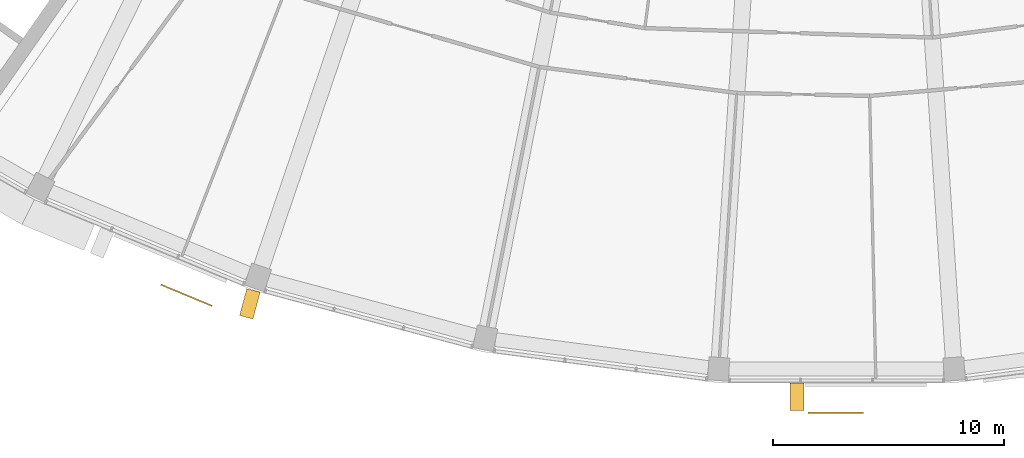
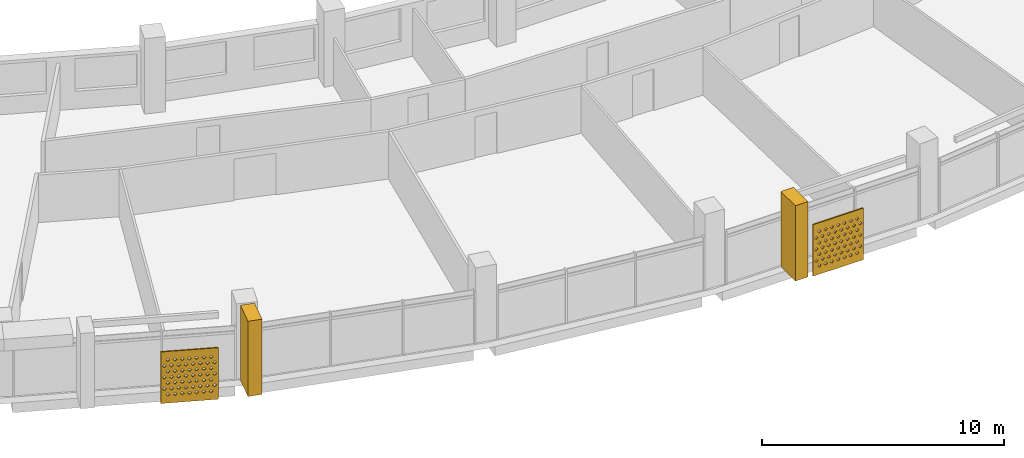
# One storey, part 25 of 28: 4 shading devices.
"""IFC4 building model written with IfcOpenShell, lengths in metres."""

from ifc_helpers import new_model, si_unit, direction, frame, origin, place, context, subcontext, project, spatial, polyline, outline, extrude, material, material_profile, profile_set, type_object, element, save


model = new_model("IFC4")

# Units and contexts
model_context = context("Model", 3, precision=1e-05, world=origin(), true_north=direction((0.0, 1.0)))
body_context = subcontext(model_context, "Body", "Model", "MODEL_VIEW")
ifc_project = project(units=[si_unit("LENGTHUNIT", "METRE"), si_unit("AREAUNIT", "SQUARE_METRE"), si_unit("VOLUMEUNIT", "CUBIC_METRE"), si_unit("PLANEANGLEUNIT", "RADIAN"), si_unit("MASSUNIT", "GRAM", prefix="KILO")], contexts=[model_context])

# Site, building, storey
site_placement = place(None, origin())
site = spatial("IfcSite", under=ifc_project, at=site_placement, CompositionType="ELEMENT")
building_placement = place(site_placement, origin())
building = spatial("IfcBuilding", under=site, at=building_placement, Name="Qamariyya Broadcast Tower", CompositionType="ELEMENT")
storey_placement = place(building_placement, frame((0.0, 0.0, 277.10009765625)))
storey = spatial("IfcBuildingStorey", under=building, at=storey_placement, Name="L67", CompositionType="ELEMENT", Elevation=277.10009765625)

# Shading devices
ifc_material_1 = material(Name="Steel S355 powder coated deep red", Category="steel")
shading_device_type_1 = type_object("IfcShadingDeviceType", Name="Deep red frame, powder coated steel box section", PredefinedType="USERDEFINED", material=ifc_material_1)
shading_device_1_placement = place(storey_placement, origin())
element("IfcShadingDevice", 1, at=shading_device_1_placement, inside=storey, type_object=shading_device_type_1, Name="e-frm-B5-F3-posta-L67", ObjectType="FRAME", PredefinedType="USERDEFINED", context=body_context, shape_type="SweptSolid", body=[
    extrude(outline(polyline([(-25.474609375, -74.1142578125), (-25.78515625, -75.2734375), (-25.20556640625, -75.4287109375), (-24.89501953125, -74.26953125), (-25.474609375, -74.1142578125)])), origin(), (0.0, 0.0, 1.0), 3.7998046875),
])
shading_device_2_placement = place(storey_placement, origin())
element("IfcShadingDevice", 2, at=shading_device_2_placement, inside=storey, type_object=shading_device_type_1, Name="e-frm-B5-F3-postb-L67", ObjectType="FRAME", PredefinedType="USERDEFINED", context=body_context, shape_type="SweptSolid", body=[
    extrude(outline(polyline([(-2.008056640625, -78.18212890625), (-2.008056640625, -79.38232421875), (-1.408203125, -79.38232421875), (-1.408203125, -78.18212890625), (-2.008056640625, -78.18212890625)])), origin(), (0.0, 0.0, 1.0), 3.7998046875),
])
ifc_material_2 = material(Name="Perforated glazed terracotta", Category="masonry")
ifc_material_profile = material_profile(ifc_material_2, outline(polyline([(-1.199951171875, -1.300048828125), (1.199951171875, -1.300048828125), (1.199951171875, 1.300048828125), (-1.199951171875, 1.300048828125), (-1.199951171875, -1.300048828125)]), holes=[polyline([(-0.81494140625, -0.86669921875), (-0.89990234375, -0.78173828125), (-0.985107421875, -0.86669921875), (-0.89990234375, -0.95166015625), (-0.81494140625, -0.86669921875)]), polyline([(-0.514892578125, -0.86669921875), (-0.60009765625, -0.78173828125), (-0.68505859375, -0.86669921875), (-0.60009765625, -0.95166015625), (-0.514892578125, -0.86669921875)]), polyline([(-0.215087890625, -0.86669921875), (-0.300048828125, -0.78173828125), (-0.385009765625, -0.86669921875), (-0.300048828125, -0.95166015625), (-0.215087890625, -0.86669921875)]), polyline([(0.0849609375, -0.86669921875), (0.0, -0.78173828125), (-0.0849609375, -0.86669921875), (0.0, -0.95166015625), (0.0849609375, -0.86669921875)]), polyline([(0.385009765625, -0.86669921875), (0.300048828125, -0.78173828125), (0.215087890625, -0.86669921875), (0.300048828125, -0.95166015625), (0.385009765625, -0.86669921875)]), polyline([(0.68505859375, -0.86669921875), (0.60009765625, -0.78173828125), (0.514892578125, -0.86669921875), (0.60009765625, -0.95166015625), (0.68505859375, -0.86669921875)]), polyline([(0.985107421875, -0.86669921875), (0.89990234375, -0.78173828125), (0.81494140625, -0.86669921875), (0.89990234375, -0.95166015625), (0.985107421875, -0.86669921875)]), polyline([(-0.965087890625, -0.577880859375), (-1.050048828125, -0.49267578125), (-1.135009765625, -0.577880859375), (-1.050048828125, -0.662841796875), (-0.965087890625, -0.577880859375)]), polyline([(-0.6650390625, -0.577880859375), (-0.75, -0.49267578125), (-0.8349609375, -0.577880859375), (-0.75, -0.662841796875), (-0.6650390625, -0.577880859375)]), polyline([(-0.364990234375, -0.577880859375), (-0.449951171875, -0.49267578125), (-0.534912109375, -0.577880859375), (-0.449951171875, -0.662841796875), (-0.364990234375, -0.577880859375)]), polyline([(-0.06494140625, -0.577880859375), (-0.14990234375, -0.49267578125), (-0.235107421875, -0.577880859375), (-0.14990234375, -0.662841796875), (-0.06494140625, -0.577880859375)]), polyline([(0.235107421875, -0.577880859375), (0.14990234375, -0.49267578125), (0.06494140625, -0.577880859375), (0.14990234375, -0.662841796875), (0.235107421875, -0.577880859375)]), polyline([(0.534912109375, -0.577880859375), (0.449951171875, -0.49267578125), (0.364990234375, -0.577880859375), (0.449951171875, -0.662841796875), (0.534912109375, -0.577880859375)]), polyline([(0.8349609375, -0.577880859375), (0.75, -0.49267578125), (0.6650390625, -0.577880859375), (0.75, -0.662841796875), (0.8349609375, -0.577880859375)]), polyline([(1.135009765625, -0.577880859375), (1.050048828125, -0.49267578125), (0.965087890625, -0.577880859375), (1.050048828125, -0.662841796875), (1.135009765625, -0.577880859375)]), polyline([(-0.81494140625, -0.288818359375), (-0.89990234375, -0.203857421875), (-0.985107421875, -0.288818359375), (-0.89990234375, -0.373779296875), (-0.81494140625, -0.288818359375)]), polyline([(-0.514892578125, -0.288818359375), (-0.60009765625, -0.203857421875), (-0.68505859375, -0.288818359375), (-0.60009765625, -0.373779296875), (-0.514892578125, -0.288818359375)]), polyline([(-0.215087890625, -0.288818359375), (-0.300048828125, -0.203857421875), (-0.385009765625, -0.288818359375), (-0.300048828125, -0.373779296875), (-0.215087890625, -0.288818359375)]), polyline([(0.0849609375, -0.288818359375), (0.0, -0.203857421875), (-0.0849609375, -0.288818359375), (0.0, -0.373779296875), (0.0849609375, -0.288818359375)]), polyline([(0.385009765625, -0.288818359375), (0.300048828125, -0.203857421875), (0.215087890625, -0.288818359375), (0.300048828125, -0.373779296875), (0.385009765625, -0.288818359375)]), polyline([(0.68505859375, -0.288818359375), (0.60009765625, -0.203857421875), (0.514892578125, -0.288818359375), (0.60009765625, -0.373779296875), (0.68505859375, -0.288818359375)]), polyline([(0.985107421875, -0.288818359375), (0.89990234375, -0.203857421875), (0.81494140625, -0.288818359375), (0.89990234375, -0.373779296875), (0.985107421875, -0.288818359375)]), polyline([(-0.965087890625, 0.0), (-1.050048828125, 0.0849609375), (-1.135009765625, 0.0), (-1.050048828125, -0.0849609375), (-0.965087890625, 0.0)]), polyline([(-0.6650390625, 0.0), (-0.75, 0.0849609375), (-0.8349609375, 0.0), (-0.75, -0.0849609375), (-0.6650390625, 0.0)]), polyline([(-0.364990234375, 0.0), (-0.449951171875, 0.0849609375), (-0.534912109375, 0.0), (-0.449951171875, -0.0849609375), (-0.364990234375, 0.0)]), polyline([(-0.06494140625, 0.0), (-0.14990234375, 0.0849609375), (-0.235107421875, 0.0), (-0.14990234375, -0.0849609375), (-0.06494140625, 0.0)]), polyline([(0.235107421875, 0.0), (0.14990234375, 0.0849609375), (0.06494140625, 0.0), (0.14990234375, -0.0849609375), (0.235107421875, 0.0)]), polyline([(0.534912109375, 0.0), (0.449951171875, 0.0849609375), (0.364990234375, 0.0), (0.449951171875, -0.0849609375), (0.534912109375, 0.0)]), polyline([(0.8349609375, 0.0), (0.75, 0.0849609375), (0.6650390625, 0.0), (0.75, -0.0849609375), (0.8349609375, 0.0)]), polyline([(1.135009765625, 0.0), (1.050048828125, 0.0849609375), (0.965087890625, 0.0), (1.050048828125, -0.0849609375), (1.135009765625, 0.0)]), polyline([(-0.81494140625, 0.288818359375), (-0.89990234375, 0.373779296875), (-0.985107421875, 0.288818359375), (-0.89990234375, 0.203857421875), (-0.81494140625, 0.288818359375)]), polyline([(-0.514892578125, 0.288818359375), (-0.60009765625, 0.373779296875), (-0.68505859375, 0.288818359375), (-0.60009765625, 0.203857421875), (-0.514892578125, 0.288818359375)]), polyline([(-0.215087890625, 0.288818359375), (-0.300048828125, 0.373779296875), (-0.385009765625, 0.288818359375), (-0.300048828125, 0.203857421875), (-0.215087890625, 0.288818359375)]), polyline([(0.0849609375, 0.288818359375), (0.0, 0.373779296875), (-0.0849609375, 0.288818359375), (0.0, 0.203857421875), (0.0849609375, 0.288818359375)]), polyline([(0.385009765625, 0.288818359375), (0.300048828125, 0.373779296875), (0.215087890625, 0.288818359375), (0.300048828125, 0.203857421875), (0.385009765625, 0.288818359375)]), polyline([(0.68505859375, 0.288818359375), (0.60009765625, 0.373779296875), (0.514892578125, 0.288818359375), (0.60009765625, 0.203857421875), (0.68505859375, 0.288818359375)]), polyline([(0.985107421875, 0.288818359375), (0.89990234375, 0.373779296875), (0.81494140625, 0.288818359375), (0.89990234375, 0.203857421875), (0.985107421875, 0.288818359375)]), polyline([(-0.965087890625, 0.577880859375), (-1.050048828125, 0.662841796875), (-1.135009765625, 0.577880859375), (-1.050048828125, 0.49267578125), (-0.965087890625, 0.577880859375)]), polyline([(-0.6650390625, 0.577880859375), (-0.75, 0.662841796875), (-0.8349609375, 0.577880859375), (-0.75, 0.49267578125), (-0.6650390625, 0.577880859375)]), polyline([(-0.364990234375, 0.577880859375), (-0.449951171875, 0.662841796875), (-0.534912109375, 0.577880859375), (-0.449951171875, 0.49267578125), (-0.364990234375, 0.577880859375)]), polyline([(-0.06494140625, 0.577880859375), (-0.14990234375, 0.662841796875), (-0.235107421875, 0.577880859375), (-0.14990234375, 0.49267578125), (-0.06494140625, 0.577880859375)]), polyline([(0.235107421875, 0.577880859375), (0.14990234375, 0.662841796875), (0.06494140625, 0.577880859375), (0.14990234375, 0.49267578125), (0.235107421875, 0.577880859375)]), polyline([(0.534912109375, 0.577880859375), (0.449951171875, 0.662841796875), (0.364990234375, 0.577880859375), (0.449951171875, 0.49267578125), (0.534912109375, 0.577880859375)]), polyline([(0.8349609375, 0.577880859375), (0.75, 0.662841796875), (0.6650390625, 0.577880859375), (0.75, 0.49267578125), (0.8349609375, 0.577880859375)]), polyline([(1.135009765625, 0.577880859375), (1.050048828125, 0.662841796875), (0.965087890625, 0.577880859375), (1.050048828125, 0.49267578125), (1.135009765625, 0.577880859375)]), polyline([(-0.81494140625, 0.86669921875), (-0.89990234375, 0.95166015625), (-0.985107421875, 0.86669921875), (-0.89990234375, 0.78173828125), (-0.81494140625, 0.86669921875)]), polyline([(-0.514892578125, 0.86669921875), (-0.60009765625, 0.95166015625), (-0.68505859375, 0.86669921875), (-0.60009765625, 0.78173828125), (-0.514892578125, 0.86669921875)]), polyline([(-0.215087890625, 0.86669921875), (-0.300048828125, 0.95166015625), (-0.385009765625, 0.86669921875), (-0.300048828125, 0.78173828125), (-0.215087890625, 0.86669921875)]), polyline([(0.0849609375, 0.86669921875), (0.0, 0.95166015625), (-0.0849609375, 0.86669921875), (0.0, 0.78173828125), (0.0849609375, 0.86669921875)]), polyline([(0.385009765625, 0.86669921875), (0.300048828125, 0.95166015625), (0.215087890625, 0.86669921875), (0.300048828125, 0.78173828125), (0.385009765625, 0.86669921875)]), polyline([(0.68505859375, 0.86669921875), (0.60009765625, 0.95166015625), (0.514892578125, 0.86669921875), (0.60009765625, 0.78173828125), (0.68505859375, 0.86669921875)]), polyline([(0.985107421875, 0.86669921875), (0.89990234375, 0.95166015625), (0.81494140625, 0.86669921875), (0.89990234375, 0.78173828125), (0.985107421875, 0.86669921875)])]))
ifc_profile_set = profile_set([ifc_material_profile], Name="Perforated glazed terracotta")
shading_device_type_2 = type_object("IfcShadingDeviceType", Name="Perforated terracotta screen 2400 x 2600", PredefinedType="USERDEFINED", material=ifc_profile_set)
shading_device_3_placement = place(storey_placement, frame((-28.066650390625, -74.372802734375, 1.349853515625), z_axis=(-0.382591441855, -0.923917630863, 0.0), x_axis=(0.923917630863, -0.382591441855, 0.0)))
element("IfcShadingDevice", 3, at=shading_device_3_placement, inside=storey, type_object=shading_device_type_2, Name="e-scr-L67-04-2", ObjectType="SCREEN", PredefinedType="USERDEFINED", context=body_context, shape_type="SweptSolid", body=[
    extrude(outline(polyline([(-1.199951171875, -1.300048828125), (1.199951171875, -1.300048828125), (1.199951171875, 1.300048828125), (-1.199951171875, 1.300048828125), (-1.199951171875, -1.300048828125)]), holes=[polyline([(-0.81494140625, -0.86669921875), (-0.89990234375, -0.78173828125), (-0.985107421875, -0.86669921875), (-0.89990234375, -0.95166015625), (-0.81494140625, -0.86669921875)]), polyline([(-0.514892578125, -0.86669921875), (-0.60009765625, -0.78173828125), (-0.68505859375, -0.86669921875), (-0.60009765625, -0.95166015625), (-0.514892578125, -0.86669921875)]), polyline([(-0.215087890625, -0.86669921875), (-0.300048828125, -0.78173828125), (-0.385009765625, -0.86669921875), (-0.300048828125, -0.95166015625), (-0.215087890625, -0.86669921875)]), polyline([(0.0849609375, -0.86669921875), (0.0, -0.78173828125), (-0.0849609375, -0.86669921875), (0.0, -0.95166015625), (0.0849609375, -0.86669921875)]), polyline([(0.385009765625, -0.86669921875), (0.300048828125, -0.78173828125), (0.215087890625, -0.86669921875), (0.300048828125, -0.95166015625), (0.385009765625, -0.86669921875)]), polyline([(0.68505859375, -0.86669921875), (0.60009765625, -0.78173828125), (0.514892578125, -0.86669921875), (0.60009765625, -0.95166015625), (0.68505859375, -0.86669921875)]), polyline([(0.985107421875, -0.86669921875), (0.89990234375, -0.78173828125), (0.81494140625, -0.86669921875), (0.89990234375, -0.95166015625), (0.985107421875, -0.86669921875)]), polyline([(-0.965087890625, -0.577880859375), (-1.050048828125, -0.49267578125), (-1.135009765625, -0.577880859375), (-1.050048828125, -0.662841796875), (-0.965087890625, -0.577880859375)]), polyline([(-0.6650390625, -0.577880859375), (-0.75, -0.49267578125), (-0.8349609375, -0.577880859375), (-0.75, -0.662841796875), (-0.6650390625, -0.577880859375)]), polyline([(-0.364990234375, -0.577880859375), (-0.449951171875, -0.49267578125), (-0.534912109375, -0.577880859375), (-0.449951171875, -0.662841796875), (-0.364990234375, -0.577880859375)]), polyline([(-0.06494140625, -0.577880859375), (-0.14990234375, -0.49267578125), (-0.235107421875, -0.577880859375), (-0.14990234375, -0.662841796875), (-0.06494140625, -0.577880859375)]), polyline([(0.235107421875, -0.577880859375), (0.14990234375, -0.49267578125), (0.06494140625, -0.577880859375), (0.14990234375, -0.662841796875), (0.235107421875, -0.577880859375)]), polyline([(0.534912109375, -0.577880859375), (0.449951171875, -0.49267578125), (0.364990234375, -0.577880859375), (0.449951171875, -0.662841796875), (0.534912109375, -0.577880859375)]), polyline([(0.8349609375, -0.577880859375), (0.75, -0.49267578125), (0.6650390625, -0.577880859375), (0.75, -0.662841796875), (0.8349609375, -0.577880859375)]), polyline([(1.135009765625, -0.577880859375), (1.050048828125, -0.49267578125), (0.965087890625, -0.577880859375), (1.050048828125, -0.662841796875), (1.135009765625, -0.577880859375)]), polyline([(-0.81494140625, -0.288818359375), (-0.89990234375, -0.203857421875), (-0.985107421875, -0.288818359375), (-0.89990234375, -0.373779296875), (-0.81494140625, -0.288818359375)]), polyline([(-0.514892578125, -0.288818359375), (-0.60009765625, -0.203857421875), (-0.68505859375, -0.288818359375), (-0.60009765625, -0.373779296875), (-0.514892578125, -0.288818359375)]), polyline([(-0.215087890625, -0.288818359375), (-0.300048828125, -0.203857421875), (-0.385009765625, -0.288818359375), (-0.300048828125, -0.373779296875), (-0.215087890625, -0.288818359375)]), polyline([(0.0849609375, -0.288818359375), (0.0, -0.203857421875), (-0.0849609375, -0.288818359375), (0.0, -0.373779296875), (0.0849609375, -0.288818359375)]), polyline([(0.385009765625, -0.288818359375), (0.300048828125, -0.203857421875), (0.215087890625, -0.288818359375), (0.300048828125, -0.373779296875), (0.385009765625, -0.288818359375)]), polyline([(0.68505859375, -0.288818359375), (0.60009765625, -0.203857421875), (0.514892578125, -0.288818359375), (0.60009765625, -0.373779296875), (0.68505859375, -0.288818359375)]), polyline([(0.985107421875, -0.288818359375), (0.89990234375, -0.203857421875), (0.81494140625, -0.288818359375), (0.89990234375, -0.373779296875), (0.985107421875, -0.288818359375)]), polyline([(-0.965087890625, 0.0), (-1.050048828125, 0.0849609375), (-1.135009765625, 0.0), (-1.050048828125, -0.0849609375), (-0.965087890625, 0.0)]), polyline([(-0.6650390625, 0.0), (-0.75, 0.0849609375), (-0.8349609375, 0.0), (-0.75, -0.0849609375), (-0.6650390625, 0.0)]), polyline([(-0.364990234375, 0.0), (-0.449951171875, 0.0849609375), (-0.534912109375, 0.0), (-0.449951171875, -0.0849609375), (-0.364990234375, 0.0)]), polyline([(-0.06494140625, 0.0), (-0.14990234375, 0.0849609375), (-0.235107421875, 0.0), (-0.14990234375, -0.0849609375), (-0.06494140625, 0.0)]), polyline([(0.235107421875, 0.0), (0.14990234375, 0.0849609375), (0.06494140625, 0.0), (0.14990234375, -0.0849609375), (0.235107421875, 0.0)]), polyline([(0.534912109375, 0.0), (0.449951171875, 0.0849609375), (0.364990234375, 0.0), (0.449951171875, -0.0849609375), (0.534912109375, 0.0)]), polyline([(0.8349609375, 0.0), (0.75, 0.0849609375), (0.6650390625, 0.0), (0.75, -0.0849609375), (0.8349609375, 0.0)]), polyline([(1.135009765625, 0.0), (1.050048828125, 0.0849609375), (0.965087890625, 0.0), (1.050048828125, -0.0849609375), (1.135009765625, 0.0)]), polyline([(-0.81494140625, 0.288818359375), (-0.89990234375, 0.373779296875), (-0.985107421875, 0.288818359375), (-0.89990234375, 0.203857421875), (-0.81494140625, 0.288818359375)]), polyline([(-0.514892578125, 0.288818359375), (-0.60009765625, 0.373779296875), (-0.68505859375, 0.288818359375), (-0.60009765625, 0.203857421875), (-0.514892578125, 0.288818359375)]), polyline([(-0.215087890625, 0.288818359375), (-0.300048828125, 0.373779296875), (-0.385009765625, 0.288818359375), (-0.300048828125, 0.203857421875), (-0.215087890625, 0.288818359375)]), polyline([(0.0849609375, 0.288818359375), (0.0, 0.373779296875), (-0.0849609375, 0.288818359375), (0.0, 0.203857421875), (0.0849609375, 0.288818359375)]), polyline([(0.385009765625, 0.288818359375), (0.300048828125, 0.373779296875), (0.215087890625, 0.288818359375), (0.300048828125, 0.203857421875), (0.385009765625, 0.288818359375)]), polyline([(0.68505859375, 0.288818359375), (0.60009765625, 0.373779296875), (0.514892578125, 0.288818359375), (0.60009765625, 0.203857421875), (0.68505859375, 0.288818359375)]), polyline([(0.985107421875, 0.288818359375), (0.89990234375, 0.373779296875), (0.81494140625, 0.288818359375), (0.89990234375, 0.203857421875), (0.985107421875, 0.288818359375)]), polyline([(-0.965087890625, 0.577880859375), (-1.050048828125, 0.662841796875), (-1.135009765625, 0.577880859375), (-1.050048828125, 0.49267578125), (-0.965087890625, 0.577880859375)]), polyline([(-0.6650390625, 0.577880859375), (-0.75, 0.662841796875), (-0.8349609375, 0.577880859375), (-0.75, 0.49267578125), (-0.6650390625, 0.577880859375)]), polyline([(-0.364990234375, 0.577880859375), (-0.449951171875, 0.662841796875), (-0.534912109375, 0.577880859375), (-0.449951171875, 0.49267578125), (-0.364990234375, 0.577880859375)]), polyline([(-0.06494140625, 0.577880859375), (-0.14990234375, 0.662841796875), (-0.235107421875, 0.577880859375), (-0.14990234375, 0.49267578125), (-0.06494140625, 0.577880859375)]), polyline([(0.235107421875, 0.577880859375), (0.14990234375, 0.662841796875), (0.06494140625, 0.577880859375), (0.14990234375, 0.49267578125), (0.235107421875, 0.577880859375)]), polyline([(0.534912109375, 0.577880859375), (0.449951171875, 0.662841796875), (0.364990234375, 0.577880859375), (0.449951171875, 0.49267578125), (0.534912109375, 0.577880859375)]), polyline([(0.8349609375, 0.577880859375), (0.75, 0.662841796875), (0.6650390625, 0.577880859375), (0.75, 0.49267578125), (0.8349609375, 0.577880859375)]), polyline([(1.135009765625, 0.577880859375), (1.050048828125, 0.662841796875), (0.965087890625, 0.577880859375), (1.050048828125, 0.49267578125), (1.135009765625, 0.577880859375)]), polyline([(-0.81494140625, 0.86669921875), (-0.89990234375, 0.95166015625), (-0.985107421875, 0.86669921875), (-0.89990234375, 0.78173828125), (-0.81494140625, 0.86669921875)]), polyline([(-0.514892578125, 0.86669921875), (-0.60009765625, 0.95166015625), (-0.68505859375, 0.86669921875), (-0.60009765625, 0.78173828125), (-0.514892578125, 0.86669921875)]), polyline([(-0.215087890625, 0.86669921875), (-0.300048828125, 0.95166015625), (-0.385009765625, 0.86669921875), (-0.300048828125, 0.78173828125), (-0.215087890625, 0.86669921875)]), polyline([(0.0849609375, 0.86669921875), (0.0, 0.95166015625), (-0.0849609375, 0.86669921875), (0.0, 0.78173828125), (0.0849609375, 0.86669921875)]), polyline([(0.385009765625, 0.86669921875), (0.300048828125, 0.95166015625), (0.215087890625, 0.86669921875), (0.300048828125, 0.78173828125), (0.385009765625, 0.86669921875)]), polyline([(0.68505859375, 0.86669921875), (0.60009765625, 0.95166015625), (0.514892578125, 0.86669921875), (0.60009765625, 0.78173828125), (0.68505859375, 0.86669921875)]), polyline([(0.985107421875, 0.86669921875), (0.89990234375, 0.95166015625), (0.81494140625, 0.86669921875), (0.89990234375, 0.78173828125), (0.985107421875, 0.86669921875)])]), origin(), (0.0, 0.0, 1.0), 0.06005859375),
])
shading_device_4_placement = place(storey_placement, frame((-0.031005859375, -79.4521484375, 1.349853515625), z_axis=(0.0, -1.0, 0.0), x_axis=(1.0, 0.0, 0.0)))
element("IfcShadingDevice", 4, at=shading_device_4_placement, inside=storey, type_object=shading_device_type_2, Name="e-scr-L67-07-1", ObjectType="SCREEN", PredefinedType="USERDEFINED", context=body_context, shape_type="SweptSolid", body=[
    extrude(outline(polyline([(-1.199951171875, -1.300048828125), (1.199951171875, -1.300048828125), (1.199951171875, 1.300048828125), (-1.199951171875, 1.300048828125), (-1.199951171875, -1.300048828125)]), holes=[polyline([(-0.81494140625, -0.86669921875), (-0.89990234375, -0.78173828125), (-0.985107421875, -0.86669921875), (-0.89990234375, -0.95166015625), (-0.81494140625, -0.86669921875)]), polyline([(-0.514892578125, -0.86669921875), (-0.60009765625, -0.78173828125), (-0.68505859375, -0.86669921875), (-0.60009765625, -0.95166015625), (-0.514892578125, -0.86669921875)]), polyline([(-0.215087890625, -0.86669921875), (-0.300048828125, -0.78173828125), (-0.385009765625, -0.86669921875), (-0.300048828125, -0.95166015625), (-0.215087890625, -0.86669921875)]), polyline([(0.0849609375, -0.86669921875), (0.0, -0.78173828125), (-0.0849609375, -0.86669921875), (0.0, -0.95166015625), (0.0849609375, -0.86669921875)]), polyline([(0.385009765625, -0.86669921875), (0.300048828125, -0.78173828125), (0.215087890625, -0.86669921875), (0.300048828125, -0.95166015625), (0.385009765625, -0.86669921875)]), polyline([(0.68505859375, -0.86669921875), (0.60009765625, -0.78173828125), (0.514892578125, -0.86669921875), (0.60009765625, -0.95166015625), (0.68505859375, -0.86669921875)]), polyline([(0.985107421875, -0.86669921875), (0.89990234375, -0.78173828125), (0.81494140625, -0.86669921875), (0.89990234375, -0.95166015625), (0.985107421875, -0.86669921875)]), polyline([(-0.965087890625, -0.577880859375), (-1.050048828125, -0.49267578125), (-1.135009765625, -0.577880859375), (-1.050048828125, -0.662841796875), (-0.965087890625, -0.577880859375)]), polyline([(-0.6650390625, -0.577880859375), (-0.75, -0.49267578125), (-0.8349609375, -0.577880859375), (-0.75, -0.662841796875), (-0.6650390625, -0.577880859375)]), polyline([(-0.364990234375, -0.577880859375), (-0.449951171875, -0.49267578125), (-0.534912109375, -0.577880859375), (-0.449951171875, -0.662841796875), (-0.364990234375, -0.577880859375)]), polyline([(-0.06494140625, -0.577880859375), (-0.14990234375, -0.49267578125), (-0.235107421875, -0.577880859375), (-0.14990234375, -0.662841796875), (-0.06494140625, -0.577880859375)]), polyline([(0.235107421875, -0.577880859375), (0.14990234375, -0.49267578125), (0.06494140625, -0.577880859375), (0.14990234375, -0.662841796875), (0.235107421875, -0.577880859375)]), polyline([(0.534912109375, -0.577880859375), (0.449951171875, -0.49267578125), (0.364990234375, -0.577880859375), (0.449951171875, -0.662841796875), (0.534912109375, -0.577880859375)]), polyline([(0.8349609375, -0.577880859375), (0.75, -0.49267578125), (0.6650390625, -0.577880859375), (0.75, -0.662841796875), (0.8349609375, -0.577880859375)]), polyline([(1.135009765625, -0.577880859375), (1.050048828125, -0.49267578125), (0.965087890625, -0.577880859375), (1.050048828125, -0.662841796875), (1.135009765625, -0.577880859375)]), polyline([(-0.81494140625, -0.288818359375), (-0.89990234375, -0.203857421875), (-0.985107421875, -0.288818359375), (-0.89990234375, -0.373779296875), (-0.81494140625, -0.288818359375)]), polyline([(-0.514892578125, -0.288818359375), (-0.60009765625, -0.203857421875), (-0.68505859375, -0.288818359375), (-0.60009765625, -0.373779296875), (-0.514892578125, -0.288818359375)]), polyline([(-0.215087890625, -0.288818359375), (-0.300048828125, -0.203857421875), (-0.385009765625, -0.288818359375), (-0.300048828125, -0.373779296875), (-0.215087890625, -0.288818359375)]), polyline([(0.0849609375, -0.288818359375), (0.0, -0.203857421875), (-0.0849609375, -0.288818359375), (0.0, -0.373779296875), (0.0849609375, -0.288818359375)]), polyline([(0.385009765625, -0.288818359375), (0.300048828125, -0.203857421875), (0.215087890625, -0.288818359375), (0.300048828125, -0.373779296875), (0.385009765625, -0.288818359375)]), polyline([(0.68505859375, -0.288818359375), (0.60009765625, -0.203857421875), (0.514892578125, -0.288818359375), (0.60009765625, -0.373779296875), (0.68505859375, -0.288818359375)]), polyline([(0.985107421875, -0.288818359375), (0.89990234375, -0.203857421875), (0.81494140625, -0.288818359375), (0.89990234375, -0.373779296875), (0.985107421875, -0.288818359375)]), polyline([(-0.965087890625, 0.0), (-1.050048828125, 0.0849609375), (-1.135009765625, 0.0), (-1.050048828125, -0.0849609375), (-0.965087890625, 0.0)]), polyline([(-0.6650390625, 0.0), (-0.75, 0.0849609375), (-0.8349609375, 0.0), (-0.75, -0.0849609375), (-0.6650390625, 0.0)]), polyline([(-0.364990234375, 0.0), (-0.449951171875, 0.0849609375), (-0.534912109375, 0.0), (-0.449951171875, -0.0849609375), (-0.364990234375, 0.0)]), polyline([(-0.06494140625, 0.0), (-0.14990234375, 0.0849609375), (-0.235107421875, 0.0), (-0.14990234375, -0.0849609375), (-0.06494140625, 0.0)]), polyline([(0.235107421875, 0.0), (0.14990234375, 0.0849609375), (0.06494140625, 0.0), (0.14990234375, -0.0849609375), (0.235107421875, 0.0)]), polyline([(0.534912109375, 0.0), (0.449951171875, 0.0849609375), (0.364990234375, 0.0), (0.449951171875, -0.0849609375), (0.534912109375, 0.0)]), polyline([(0.8349609375, 0.0), (0.75, 0.0849609375), (0.6650390625, 0.0), (0.75, -0.0849609375), (0.8349609375, 0.0)]), polyline([(1.135009765625, 0.0), (1.050048828125, 0.0849609375), (0.965087890625, 0.0), (1.050048828125, -0.0849609375), (1.135009765625, 0.0)]), polyline([(-0.81494140625, 0.288818359375), (-0.89990234375, 0.373779296875), (-0.985107421875, 0.288818359375), (-0.89990234375, 0.203857421875), (-0.81494140625, 0.288818359375)]), polyline([(-0.514892578125, 0.288818359375), (-0.60009765625, 0.373779296875), (-0.68505859375, 0.288818359375), (-0.60009765625, 0.203857421875), (-0.514892578125, 0.288818359375)]), polyline([(-0.215087890625, 0.288818359375), (-0.300048828125, 0.373779296875), (-0.385009765625, 0.288818359375), (-0.300048828125, 0.203857421875), (-0.215087890625, 0.288818359375)]), polyline([(0.0849609375, 0.288818359375), (0.0, 0.373779296875), (-0.0849609375, 0.288818359375), (0.0, 0.203857421875), (0.0849609375, 0.288818359375)]), polyline([(0.385009765625, 0.288818359375), (0.300048828125, 0.373779296875), (0.215087890625, 0.288818359375), (0.300048828125, 0.203857421875), (0.385009765625, 0.288818359375)]), polyline([(0.68505859375, 0.288818359375), (0.60009765625, 0.373779296875), (0.514892578125, 0.288818359375), (0.60009765625, 0.203857421875), (0.68505859375, 0.288818359375)]), polyline([(0.985107421875, 0.288818359375), (0.89990234375, 0.373779296875), (0.81494140625, 0.288818359375), (0.89990234375, 0.203857421875), (0.985107421875, 0.288818359375)]), polyline([(-0.965087890625, 0.577880859375), (-1.050048828125, 0.662841796875), (-1.135009765625, 0.577880859375), (-1.050048828125, 0.49267578125), (-0.965087890625, 0.577880859375)]), polyline([(-0.6650390625, 0.577880859375), (-0.75, 0.662841796875), (-0.8349609375, 0.577880859375), (-0.75, 0.49267578125), (-0.6650390625, 0.577880859375)]), polyline([(-0.364990234375, 0.577880859375), (-0.449951171875, 0.662841796875), (-0.534912109375, 0.577880859375), (-0.449951171875, 0.49267578125), (-0.364990234375, 0.577880859375)]), polyline([(-0.06494140625, 0.577880859375), (-0.14990234375, 0.662841796875), (-0.235107421875, 0.577880859375), (-0.14990234375, 0.49267578125), (-0.06494140625, 0.577880859375)]), polyline([(0.235107421875, 0.577880859375), (0.14990234375, 0.662841796875), (0.06494140625, 0.577880859375), (0.14990234375, 0.49267578125), (0.235107421875, 0.577880859375)]), polyline([(0.534912109375, 0.577880859375), (0.449951171875, 0.662841796875), (0.364990234375, 0.577880859375), (0.449951171875, 0.49267578125), (0.534912109375, 0.577880859375)]), polyline([(0.8349609375, 0.577880859375), (0.75, 0.662841796875), (0.6650390625, 0.577880859375), (0.75, 0.49267578125), (0.8349609375, 0.577880859375)]), polyline([(1.135009765625, 0.577880859375), (1.050048828125, 0.662841796875), (0.965087890625, 0.577880859375), (1.050048828125, 0.49267578125), (1.135009765625, 0.577880859375)]), polyline([(-0.81494140625, 0.86669921875), (-0.89990234375, 0.95166015625), (-0.985107421875, 0.86669921875), (-0.89990234375, 0.78173828125), (-0.81494140625, 0.86669921875)]), polyline([(-0.514892578125, 0.86669921875), (-0.60009765625, 0.95166015625), (-0.68505859375, 0.86669921875), (-0.60009765625, 0.78173828125), (-0.514892578125, 0.86669921875)]), polyline([(-0.215087890625, 0.86669921875), (-0.300048828125, 0.95166015625), (-0.385009765625, 0.86669921875), (-0.300048828125, 0.78173828125), (-0.215087890625, 0.86669921875)]), polyline([(0.0849609375, 0.86669921875), (0.0, 0.95166015625), (-0.0849609375, 0.86669921875), (0.0, 0.78173828125), (0.0849609375, 0.86669921875)]), polyline([(0.385009765625, 0.86669921875), (0.300048828125, 0.95166015625), (0.215087890625, 0.86669921875), (0.300048828125, 0.78173828125), (0.385009765625, 0.86669921875)]), polyline([(0.68505859375, 0.86669921875), (0.60009765625, 0.95166015625), (0.514892578125, 0.86669921875), (0.60009765625, 0.78173828125), (0.68505859375, 0.86669921875)]), polyline([(0.985107421875, 0.86669921875), (0.89990234375, 0.95166015625), (0.81494140625, 0.86669921875), (0.89990234375, 0.78173828125), (0.985107421875, 0.86669921875)])]), origin(), (0.0, 0.0, 1.0), 0.06005859375),
])

save(model, "model.ifc")
